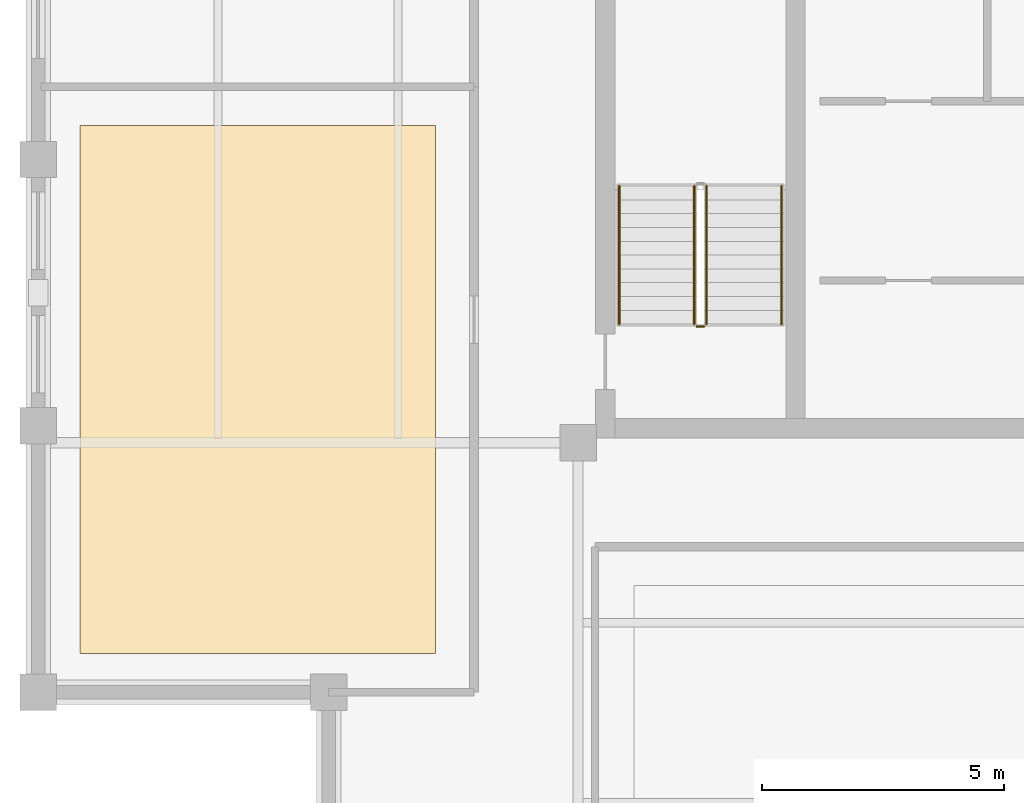
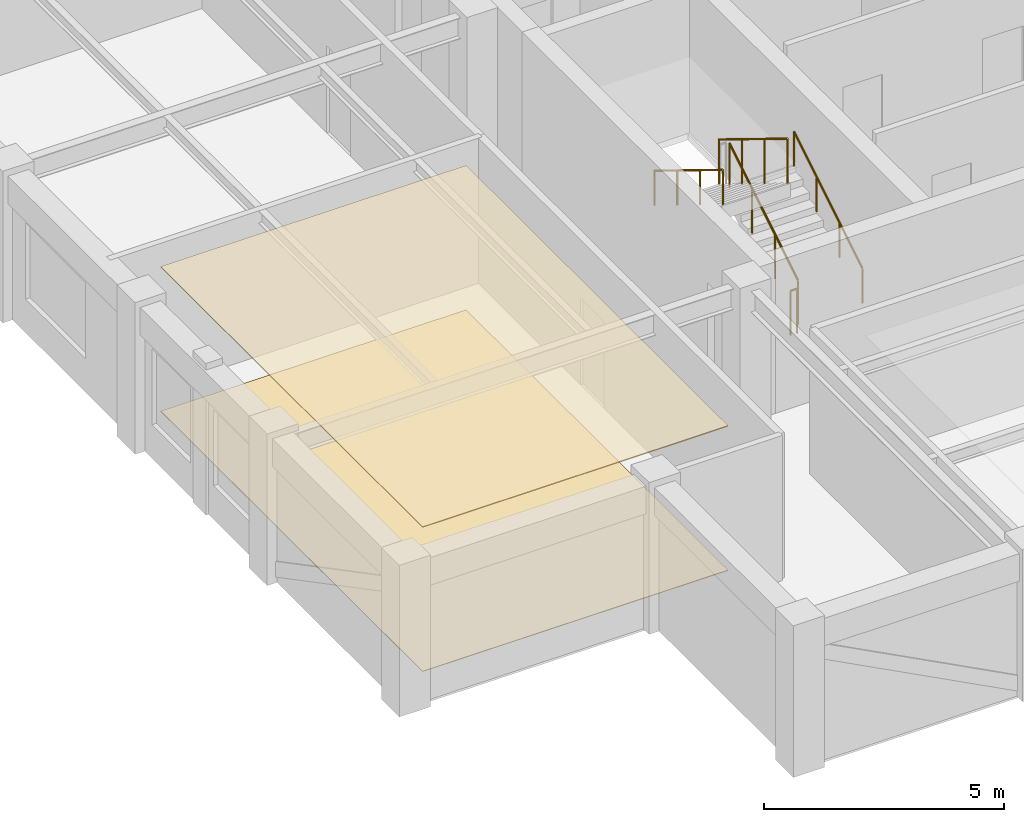
# One storey, part 7 of 9: 5 railings, 2 coverings.
"""IFC4 building model written with IfcOpenShell, lengths in metres."""

from ifc_helpers import new_model, si_unit, direction, frame, origin, origin_2d, place, context, subcontext, project, spatial, polyline, circle, outline, extrude, material, layer, layer_set, type_object, element, save


model = new_model("IFC4")

# Units and contexts
model_context = context("Model", 3, precision=1e-05, world=origin(), true_north=direction((0.0, 1.0)))
body_context = subcontext(model_context, "Body", "Model", "MODEL_VIEW")
ifc_project = project(units=[si_unit("LENGTHUNIT", "METRE"), si_unit("AREAUNIT", "SQUARE_METRE"), si_unit("VOLUMEUNIT", "CUBIC_METRE"), si_unit("PLANEANGLEUNIT", "RADIAN"), si_unit("MASSUNIT", "GRAM", prefix="KILO")], contexts=[model_context])

# Site, building, storey
site_placement = place(None, origin())
site = spatial("IfcSite", under=ifc_project, at=site_placement, CompositionType="ELEMENT")
building_placement = place(site_placement, origin())
building = spatial("IfcBuilding", under=site, at=building_placement, Name="Nhamokura Convention Tower", CompositionType="ELEMENT")
storey_placement = place(building_placement, frame((0.0, 0.0, 273.699951171875)))
storey = spatial("IfcBuildingStorey", under=building, at=storey_placement, Name="L67", CompositionType="ELEMENT", Elevation=273.699951171875)

# Covering
ifc_material_1 = material(Name="Mineral-fibre acoustic ceiling tile", Category="gypsum")
ifc_layer_1 = layer(ifc_material_1, 0.02490234375)
ifc_layer_set_1 = layer_set([ifc_layer_1], Name="AcousticTileCeiling_25")
covering_type_1 = type_object("IfcCoveringType", Name="AcousticTileCeiling_25", PredefinedType="CEILING", material=ifc_layer_set_1)
covering_1_placement = place(storey_placement, frame((0.0, 0.0, 3.66015625)))
element("IfcCovering", 1, at=covering_1_placement, inside=storey, type_object=covering_type_1, Name="L67 Suspended Ceiling 06", PredefinedType="CEILING", context=body_context, shape_type="SweptSolid", body=[
    extrude(outline(polyline([(10.360107421875, 16.300048828125), (17.699951171875, 16.300048828125), (17.699951171875, 27.199951171875), (10.360107421875, 27.199951171875), (10.360107421875, 16.300048828125)])), origin(), (0.0, 0.0, 1.0), 0.02490234375),
])

# Railings
ifc_material_2 = material(Name="Anodised bronze stainless steel", Category="steel")
railing_type_1 = type_object("IfcRailingType", Name="StairWallHandrail_900", PredefinedType="HANDRAIL", material=ifc_material_2)
railing_1_placement = place(storey_placement, frame((24.85009765625, 23.10009765625, 0.175048828125)))
element("IfcRailing", 2, at=railing_1_placement, inside=storey, type_object=railing_type_1, Name="L67 ST-01 stair handrail 1", PredefinedType="HANDRAIL", context=body_context, shape_type="SweptSolid", body=[
    extrude(circle(Radius=0.02392578125, at=origin_2d()), frame((0.0, 0.0, 0.8759765625), z_axis=(0.0, 0.852159232446, 0.523282564737), x_axis=(-1.0, 0.0, 0.0)), (0.0, 0.0, 1.0), 3.34423828125),
    extrude(circle(Radius=0.02099609375, at=origin_2d()), origin(), (0.0, 0.0, 1.0), 0.851806640625),
    extrude(circle(Radius=0.02099609375, at=origin_2d()), frame((0.0, 0.949951171875, 0.583251953125)), (0.0, 0.0, 1.0), 0.851806640625),
    extrude(circle(Radius=0.02099609375, at=origin_2d()), frame((0.0, 1.89990234375, 1.166748046875)), (0.0, 0.0, 1.0), 0.851806640625),
    extrude(circle(Radius=0.02099609375, at=origin_2d()), frame((0.0, 2.849853515625, 1.75)), (0.0, 0.0, 1.0), 0.851806640625),
])
railing_2_placement = place(storey_placement, frame((21.5, 25.949951171875, 2.10009765625)))
element("IfcRailing", 3, at=railing_2_placement, inside=storey, type_object=railing_type_1, Name="L67 ST-01 stair handrail 2", PredefinedType="HANDRAIL", context=body_context, shape_type="SweptSolid", body=[
    extrude(circle(Radius=0.02392578125, at=origin_2d()), frame((0.0, 0.0, 0.8759765625), z_axis=(0.0, -0.852159232446, 0.523282564737), x_axis=(1.0, 0.0, 0.0)), (0.0, 0.0, 1.0), 3.34423828125),
    extrude(circle(Radius=0.02099609375, at=origin_2d()), origin(), (0.0, 0.0, 1.0), 0.851806640625),
    extrude(circle(Radius=0.02099609375, at=origin_2d()), frame((0.0, -0.949951171875, 0.583251953125)), (0.0, 0.0, 1.0), 0.851806640625),
    extrude(circle(Radius=0.02099609375, at=origin_2d()), frame((0.0, -1.89990234375, 1.166748046875)), (0.0, 0.0, 1.0), 0.851806640625),
    extrude(circle(Radius=0.02099609375, at=origin_2d()), frame((0.0, -2.849853515625, 1.75)), (0.0, 0.0, 1.0), 0.851806640625),
])
ifc_material_3 = material(Name="Painted tubular steel", Category="steel")
railing_type_2 = type_object("IfcRailingType", Name="StairWellGuardrail_1150", PredefinedType="GUARDRAIL", material=ifc_material_3)
railing_3_placement = place(storey_placement, frame((23.300048828125, 23.10009765625, 0.175048828125)))
element("IfcRailing", 4, at=railing_3_placement, inside=storey, type_object=railing_type_2, Name="L67 ST-01 stair guard 1", PredefinedType="GUARDRAIL", context=body_context, shape_type="SweptSolid", body=[
    extrude(circle(Radius=0.02392578125, at=origin_2d()), frame((0.0, 0.0, 1.1259765625), z_axis=(0.0, 0.852159232446, 0.523282564737), x_axis=(-1.0, 0.0, 0.0)), (0.0, 0.0, 1.0), 3.34423828125),
    extrude(circle(Radius=0.02099609375, at=origin_2d()), origin(), (0.0, 0.0, 1.0), 1.101806640625),
    extrude(circle(Radius=0.02099609375, at=origin_2d()), frame((0.0, 0.949951171875, 0.583251953125)), (0.0, 0.0, 1.0), 1.101806640625),
    extrude(circle(Radius=0.02099609375, at=origin_2d()), frame((0.0, 1.89990234375, 1.166748046875)), (0.0, 0.0, 1.0), 1.101806640625),
    extrude(circle(Radius=0.02099609375, at=origin_2d()), frame((0.0, 2.849853515625, 1.75)), (0.0, 0.0, 1.0), 1.101806640625),
])
railing_4_placement = place(storey_placement, frame((23.050048828125, 25.949951171875, 2.10009765625)))
element("IfcRailing", 5, at=railing_4_placement, inside=storey, type_object=railing_type_2, Name="L67 ST-01 stair guard 3", PredefinedType="GUARDRAIL", context=body_context, shape_type="SweptSolid", body=[
    extrude(circle(Radius=0.02392578125, at=origin_2d()), frame((0.0, 0.0, 1.1259765625), z_axis=(0.0, -0.852159232446, 0.523282564737), x_axis=(1.0, 0.0, 0.0)), (0.0, 0.0, 1.0), 3.34423828125),
    extrude(circle(Radius=0.02099609375, at=origin_2d()), origin(), (0.0, 0.0, 1.0), 1.101806640625),
    extrude(circle(Radius=0.02099609375, at=origin_2d()), frame((0.0, -0.949951171875, 0.583251953125)), (0.0, 0.0, 1.0), 1.101806640625),
    extrude(circle(Radius=0.02099609375, at=origin_2d()), frame((0.0, -1.89990234375, 1.166748046875)), (0.0, 0.0, 1.0), 1.101806640625),
    extrude(circle(Radius=0.02099609375, at=origin_2d()), frame((0.0, -2.849853515625, 1.75)), (0.0, 0.0, 1.0), 1.101806640625),
])
railing_5_placement = place(storey_placement, frame((23.25, 23.050048828125, 0.0)))
element("IfcRailing", 6, at=railing_5_placement, inside=storey, type_object=railing_type_2, Name="L67 ST-01 stair guard 4", PredefinedType="GUARDRAIL", context=body_context, shape_type="SweptSolid", body=[
    extrude(circle(Radius=0.02392578125, at=origin_2d()), frame((0.0, 0.0, 1.1259765625), z_axis=(-1.0, 0.0, 0.0), x_axis=(0.0, -1.0, 0.0)), (0.0, 0.0, 1.0), 0.14990234375),
    extrude(circle(Radius=0.02099609375, at=origin_2d()), origin(), (0.0, 0.0, 1.0), 1.101806640625),
    extrude(circle(Radius=0.02099609375, at=origin_2d()), frame((-0.14990234375, 0.0, 0.0)), (0.0, 0.0, 1.0), 1.101806640625),
])

# Covering
ifc_material_4 = material(Name="Acoustic woven hospitality carpet", Category="wood")
ifc_layer_2 = layer(ifc_material_4, 0.014892578125)
ifc_layer_set_2 = layer_set([ifc_layer_2], Name="WovenCarpetFlooring_15")
covering_type_2 = type_object("IfcCoveringType", Name="WovenCarpetFlooring_15", PredefinedType="FLOORING", material=ifc_layer_set_2)
covering_2_placement = place(storey_placement, origin())
element("IfcCovering", 7, at=covering_2_placement, inside=storey, type_object=covering_type_2, Name="L67 Finish Flooring 06", PredefinedType="FLOORING", context=body_context, shape_type="SweptSolid", body=[
    extrude(outline(polyline([(10.360107421875, 16.300048828125), (17.699951171875, 16.300048828125), (17.699951171875, 27.199951171875), (10.360107421875, 27.199951171875), (10.360107421875, 16.300048828125)])), origin(), (0.0, 0.0, 1.0), 0.01513671875),
])

save(model, "model.ifc")
